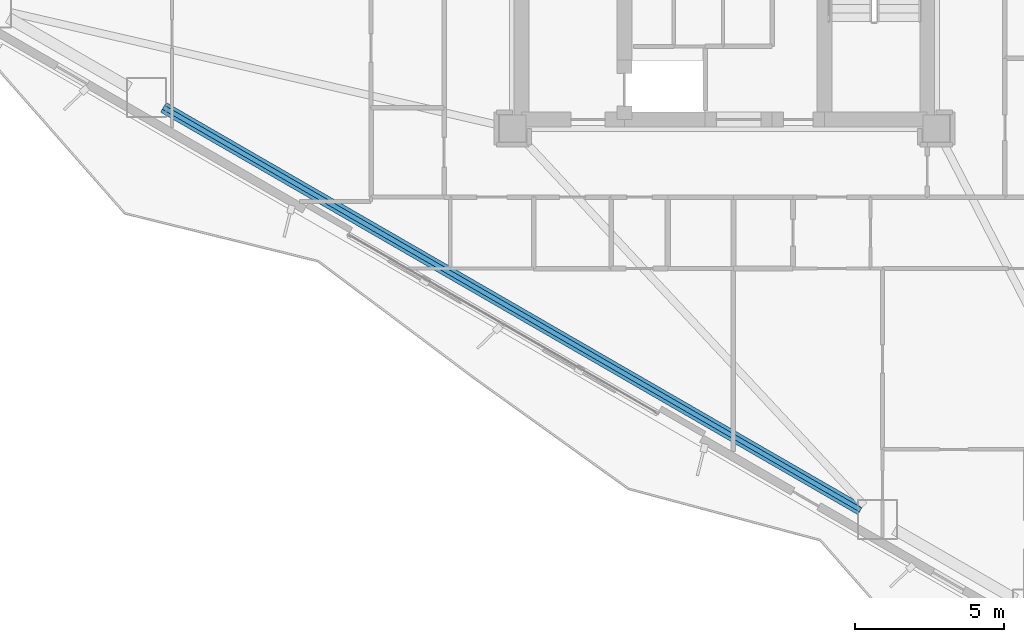
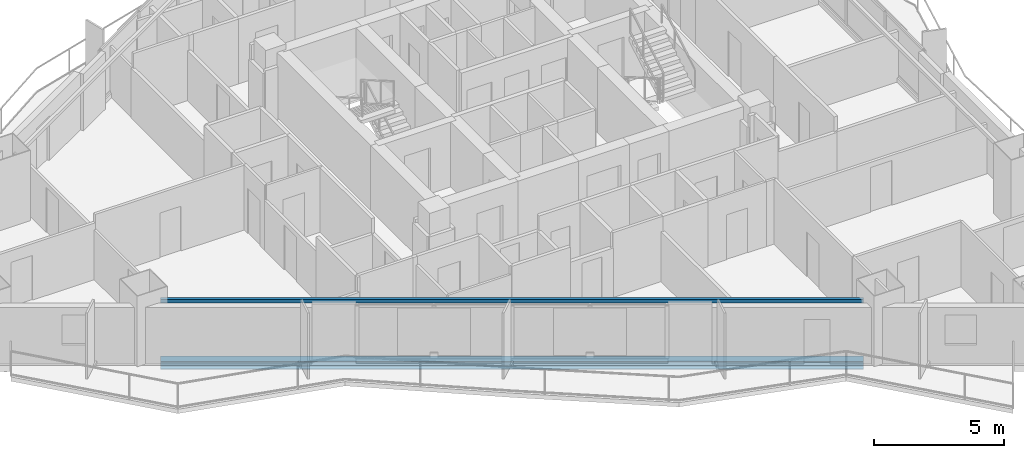
# One storey, part 3 of 19: 2 beams.
"""IFC4 building model written with IfcOpenShell, lengths in metres."""

from ifc_helpers import new_model, si_unit, direction, frame, origin, origin_2d, place, context, subcontext, project, spatial, hollow_rectangle, i_section, extrude, material, material_profile, profile_set, type_object, element, save


model = new_model("IFC4")

# Units and contexts
model_context = context("Model", 3, precision=1e-05, world=origin(), true_north=direction((0.0, 1.0)))
body_context = subcontext(model_context, "Body", "Model", "MODEL_VIEW")
ifc_project = project(units=[si_unit("LENGTHUNIT", "METRE"), si_unit("AREAUNIT", "SQUARE_METRE"), si_unit("VOLUMEUNIT", "CUBIC_METRE"), si_unit("PLANEANGLEUNIT", "RADIAN"), si_unit("MASSUNIT", "GRAM", prefix="KILO")], contexts=[model_context])

# Site, building, storey
site_placement = place(None, origin())
site = spatial("IfcSite", under=ifc_project, at=site_placement, CompositionType="ELEMENT")
building_placement = place(site_placement, origin())
building = spatial("IfcBuilding", under=site, at=building_placement, Name="Mersakhor Tower and Convention Hall", CompositionType="ELEMENT")
storey_placement = place(building_placement, frame((0.0, 0.0, 48.89990234375)))
storey = spatial("IfcBuildingStorey", under=building, at=storey_placement, Name="L13", CompositionType="ELEMENT", Elevation=48.89990234375)

# Beams
ifc_material_1 = material(Name="Steel S355", Category="steel")
ifc_material_profile_1 = material_profile(ifc_material_1, hollow_rectangle(XDim=0.14990234375, YDim=0.14990234375, WallThickness=0.010009765625, at=origin_2d()), Name="SHS 150x150x10")
ifc_profile_set_1 = profile_set([ifc_material_profile_1], Name="Steel S355")
beam_type_1 = type_object("IfcBeamType", Name="BM-GRT-SHS150", PredefinedType="USERDEFINED", material=ifc_profile_set_1)
beam_1_placement = place(storey_placement, frame((33.566162109375, 7.6591796875, 2.47998046875), z_axis=(-0.866025970279, 0.499999018801, 0.0), x_axis=(-0.499999018801, -0.866025970279, 0.0)))
element("IfcBeam", 1, at=beam_1_placement, inside=storey, type_object=beam_type_1, Name="L13 Facade Support Girt GRT-F3", ObjectType="GIRT", PredefinedType="USERDEFINED", context=body_context, shape_type="SweptSolid", body=[
    extrude(hollow_rectangle(XDim=0.14990234375, YDim=0.14990234375, WallThickness=0.010009765625, at=origin_2d()), origin(), (0.0, 0.0, 1.0), 26.99951171875),
])
ifc_material_2 = material(Name="Steel S355", Category="steel")
ifc_material_profile_2 = material_profile(ifc_material_2, i_section(OverallWidth=0.374755859375, OverallDepth=0.37451171875, WebThickness=0.0166015625, FlangeThickness=0.027099609375, at=origin_2d()), Name="UC 356x368x202")
ifc_profile_set_2 = profile_set([ifc_material_profile_2], Name="Steel S355")
beam_type_2 = type_object("IfcBeamType", Name="BM-SPD-UC356", PredefinedType="SPANDREL", material=ifc_profile_set_2)
beam_2_placement = place(storey_placement, frame((33.566162109375, 7.6591796875, -0.447265625), z_axis=(-0.866025970279, 0.499999018801, 0.0), x_axis=(-0.499999018801, -0.866025970279, 0.0)))
element("IfcBeam", 2, at=beam_2_placement, inside=storey, type_object=beam_type_2, Name="L13 Perimeter Spandrel Beam SPB-10", PredefinedType="SPANDREL", context=body_context, shape_type="SweptSolid", body=[
    extrude(i_section(OverallWidth=0.374755859375, OverallDepth=0.37451171875, WebThickness=0.0166015625, FlangeThickness=0.027099609375, at=origin_2d()), origin(), (0.0, 0.0, 1.0), 26.99951171875),
])

save(model, "model.ifc")
